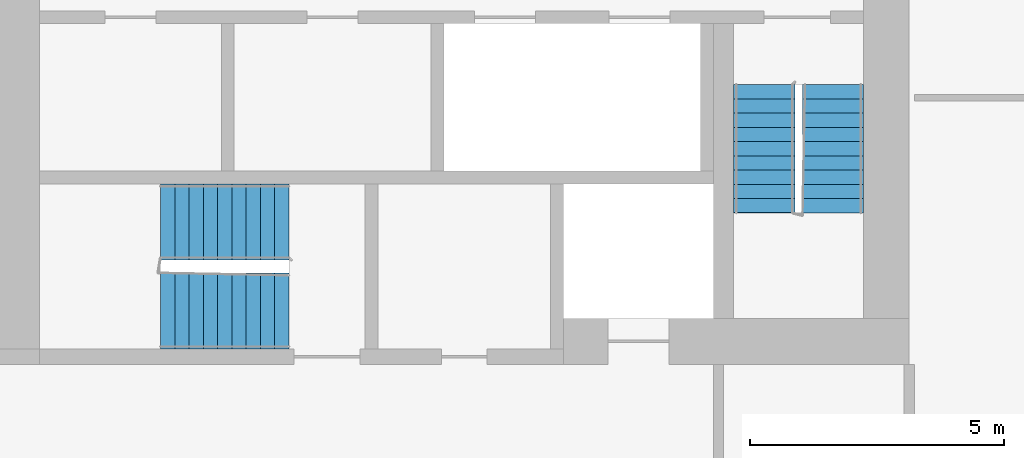
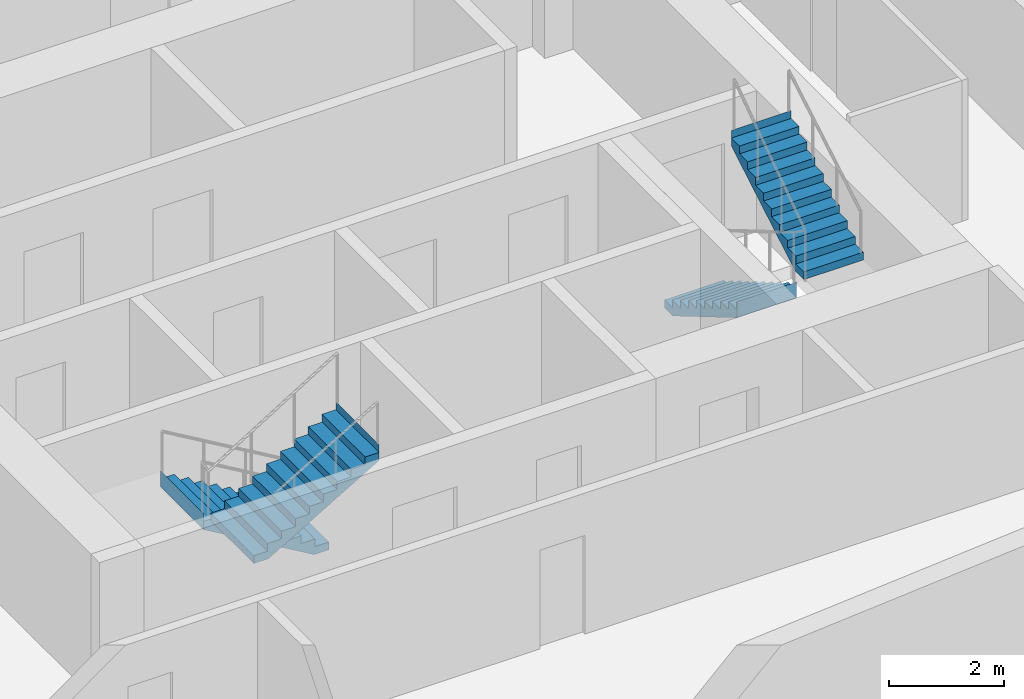
# One storey, part 9 of 12: 4 stair flights, 2 elements without a shape of their own.
"""IFC4 building model written with IfcOpenShell, lengths in metres."""

from ifc_helpers import new_model, si_unit, direction, frame, origin, place, context, subcontext, project, spatial, faceted_brep, material, type_object, element, aggregate, save


model = new_model("IFC4")

# Units and contexts
model_context = context("Model", 3, precision=1e-05, world=origin(), true_north=direction((0.0, 1.0)))
body_context = subcontext(model_context, "Body", "Model", "MODEL_VIEW")
ifc_project = project(units=[si_unit("LENGTHUNIT", "METRE"), si_unit("AREAUNIT", "SQUARE_METRE"), si_unit("VOLUMEUNIT", "CUBIC_METRE"), si_unit("PLANEANGLEUNIT", "RADIAN"), si_unit("MASSUNIT", "GRAM", prefix="KILO")], contexts=[model_context])

# Site, building, storey
site_placement = place(None, origin())
site = spatial("IfcSite", under=ifc_project, at=site_placement, CompositionType="ELEMENT")
building_placement = place(site_placement, origin())
building = spatial("IfcBuilding", under=site, at=building_placement, Name="Kajstack Hotel Tower", CompositionType="ELEMENT")
storey_placement = place(building_placement, frame((0.0, 0.0, 203.199951171875)))
storey = spatial("IfcBuildingStorey", under=building, at=storey_placement, Name="L49", CompositionType="ELEMENT", Elevation=203.199951171875)

# Stair, stair flights
ifc_material = material(Name="Concrete C40/50", Category="concrete")
stair_type_1 = type_object("IfcStairType", Name="Exit stair 1200", PredefinedType="HALF_TURN_STAIR", material=ifc_material)
stair_1_placement = place(storey_placement, origin())
stair_1 = element("IfcStair", 1, at=stair_1_placement, inside=storey, type_object=stair_type_1, Name="L49 stair W2", PredefinedType="HALF_TURN_STAIR")
stair_flight_type_1 = type_object("IfcStairFlightType", Name="Exit stair flight 1200", PredefinedType="STRAIGHT", material=ifc_material)
stair_flight_1_placement = place(storey_placement, frame((-16.35009765625, -10.0, 0.0), z_axis=(0.0, 0.0, 1.0), x_axis=(0.0, -1.0, 0.0)))
stair_flight_1 = element("IfcStairFlight", 2, at=stair_flight_1_placement, type_object=stair_flight_type_1, Name="W2 flight 1", NumberOfRisers=10, NumberOfTreads=9, PredefinedType="STRAIGHT", RiserHeight=0.165, TreadLength=0.28, context=body_context, shape_type="Brep", body=[
    faceted_brep([(0.295654296875, -0.60009765625, 0.0), (2.5205078125, -0.60009765625, 1.31103515625), (2.5205078125, -0.60009765625, 1.64990234375), (2.52001953125, -0.60009765625, 1.64990234375), (2.52001953125, -0.60009765625, 1.485107421875), (2.239990234375, -0.60009765625, 1.485107421875), (2.239990234375, -0.60009765625, 1.320068359375), (1.9599609375, -0.60009765625, 1.320068359375), (1.9599609375, -0.60009765625, 1.155029296875), (1.679931640625, -0.60009765625, 1.155029296875), (1.679931640625, -0.60009765625, 0.989990234375), (1.39990234375, -0.60009765625, 0.989990234375), (1.39990234375, -0.60009765625, 0.824951171875), (1.1201171875, -0.60009765625, 0.824951171875), (1.1201171875, -0.60009765625, 0.659912109375), (0.840087890625, -0.60009765625, 0.659912109375), (0.840087890625, -0.60009765625, 0.4951171875), (0.56005859375, -0.60009765625, 0.4951171875), (0.56005859375, -0.60009765625, 0.330078125), (0.280029296875, -0.60009765625, 0.330078125), (0.280029296875, -0.60009765625, 0.1650390625), (-0.00048828125, -0.60009765625, 0.1650390625), (-0.00048828125, -0.60009765625, 0.0), (-0.00048828125, 0.60009765625, 0.0), (-0.00048828125, 0.60009765625, 0.1650390625), (0.280029296875, 0.60009765625, 0.1650390625), (0.280029296875, 0.60009765625, 0.330078125), (0.56005859375, 0.60009765625, 0.330078125), (0.56005859375, 0.60009765625, 0.4951171875), (0.840087890625, 0.60009765625, 0.4951171875), (0.840087890625, 0.60009765625, 0.659912109375), (1.1201171875, 0.60009765625, 0.659912109375), (1.1201171875, 0.60009765625, 0.824951171875), (1.39990234375, 0.60009765625, 0.824951171875), (1.39990234375, 0.60009765625, 0.989990234375), (1.679931640625, 0.60009765625, 0.989990234375), (1.679931640625, 0.60009765625, 1.155029296875), (1.9599609375, 0.60009765625, 1.155029296875), (1.9599609375, 0.60009765625, 1.320068359375), (2.239990234375, 0.60009765625, 1.320068359375), (2.239990234375, 0.60009765625, 1.485107421875), (2.52001953125, 0.60009765625, 1.485107421875), (2.52001953125, 0.60009765625, 1.64990234375), (2.5205078125, 0.60009765625, 1.64990234375), (2.5205078125, 0.60009765625, 1.31103515625), (0.295654296875, 0.60009765625, 0.0), (-0.00048828125, -0.300048828125, 0.1650390625), (-0.00048828125, 0.0, 0.1650390625), (-0.00048828125, 0.300048828125, 0.1650390625), (-0.00048828125, 0.300048828125, 0.0), (-0.00048828125, 0.0, 0.0), (-0.00048828125, -0.300048828125, 0.0), (0.280029296875, -0.300048828125, 0.1650390625), (0.280029296875, 0.0, 0.1650390625), (0.280029296875, 0.300048828125, 0.1650390625), (0.280029296875, -0.300048828125, 0.330078125), (0.280029296875, 0.0, 0.330078125), (0.280029296875, 0.300048828125, 0.330078125), (0.56005859375, -0.300048828125, 0.330078125), (0.56005859375, 0.0, 0.330078125), (0.56005859375, 0.300048828125, 0.330078125), (0.56005859375, -0.300048828125, 0.4951171875), (0.56005859375, 0.0, 0.4951171875), (0.56005859375, 0.300048828125, 0.4951171875), (0.840087890625, -0.300048828125, 0.4951171875), (0.840087890625, 0.0, 0.4951171875), (0.840087890625, 0.300048828125, 0.4951171875), (0.840087890625, -0.300048828125, 0.659912109375), (0.840087890625, 0.0, 0.659912109375), (0.840087890625, 0.300048828125, 0.659912109375), (1.1201171875, -0.300048828125, 0.659912109375), (1.1201171875, 0.0, 0.659912109375), (1.1201171875, 0.300048828125, 0.659912109375), (1.1201171875, -0.300048828125, 0.824951171875), (1.1201171875, 0.0, 0.824951171875), (1.1201171875, 0.300048828125, 0.824951171875), (1.39990234375, -0.300048828125, 0.824951171875), (1.39990234375, 0.0, 0.824951171875), (1.39990234375, 0.300048828125, 0.824951171875), (1.39990234375, -0.300048828125, 0.989990234375), (1.39990234375, 0.0, 0.989990234375), (1.39990234375, 0.300048828125, 0.989990234375), (1.679931640625, -0.300048828125, 0.989990234375), (1.679931640625, 0.0, 0.989990234375), (1.679931640625, 0.300048828125, 0.989990234375), (1.679931640625, -0.300048828125, 1.155029296875), (1.679931640625, 0.0, 1.155029296875), (1.679931640625, 0.300048828125, 1.155029296875), (1.9599609375, -0.300048828125, 1.155029296875), (1.9599609375, 0.0, 1.155029296875), (1.9599609375, 0.300048828125, 1.155029296875), (1.9599609375, -0.300048828125, 1.320068359375), (1.9599609375, 0.0, 1.320068359375), (1.9599609375, 0.300048828125, 1.320068359375), (2.239990234375, -0.300048828125, 1.320068359375), (2.239990234375, 0.0, 1.320068359375), (2.239990234375, 0.300048828125, 1.320068359375), (2.239990234375, -0.300048828125, 1.485107421875), (2.239990234375, 0.0, 1.485107421875), (2.239990234375, 0.300048828125, 1.485107421875), (2.52001953125, -0.300048828125, 1.485107421875), (2.52001953125, 0.0, 1.485107421875), (2.52001953125, 0.300048828125, 1.485107421875), (2.52001953125, -0.300048828125, 1.64990234375), (2.52001953125, 0.0, 1.64990234375), (2.52001953125, 0.300048828125, 1.64990234375), (2.5205078125, -0.300048828125, 1.64990234375), (2.5205078125, 0.0, 1.64990234375), (2.5205078125, 0.300048828125, 1.64990234375), (2.5205078125, -0.300048828125, 1.31103515625), (2.5205078125, 0.0, 1.31103515625), (2.5205078125, 0.300048828125, 1.31103515625), (0.295654296875, -0.300048828125, 0.0), (0.295654296875, 0.0, 0.0), (0.295654296875, 0.300048828125, 0.0)], [[[0, 1, 2, 3, 4, 5, 6, 7, 8, 9, 10, 11, 12, 13, 14, 15, 16, 17, 18, 19, 20, 21, 22]], [[23, 24, 25, 26, 27, 28, 29, 30, 31, 32, 33, 34, 35, 36, 37, 38, 39, 40, 41, 42, 43, 44, 45]], [[21, 46, 47, 48, 24, 23, 49, 50, 51, 22]], [[20, 52, 53, 54, 25, 24, 48, 47, 46, 21]], [[19, 55, 56, 57, 26, 25, 54, 53, 52, 20]], [[18, 58, 59, 60, 27, 26, 57, 56, 55, 19]], [[17, 61, 62, 63, 28, 27, 60, 59, 58, 18]], [[16, 64, 65, 66, 29, 28, 63, 62, 61, 17]], [[15, 67, 68, 69, 30, 29, 66, 65, 64, 16]], [[14, 70, 71, 72, 31, 30, 69, 68, 67, 15]], [[13, 73, 74, 75, 32, 31, 72, 71, 70, 14]], [[12, 76, 77, 78, 33, 32, 75, 74, 73, 13]], [[11, 79, 80, 81, 34, 33, 78, 77, 76, 12]], [[10, 82, 83, 84, 35, 34, 81, 80, 79, 11]], [[9, 85, 86, 87, 36, 35, 84, 83, 82, 10]], [[8, 88, 89, 90, 37, 36, 87, 86, 85, 9]], [[7, 91, 92, 93, 38, 37, 90, 89, 88, 8]], [[6, 94, 95, 96, 39, 38, 93, 92, 91, 7]], [[5, 97, 98, 99, 40, 39, 96, 95, 94, 6]], [[4, 100, 101, 102, 41, 40, 99, 98, 97, 5]], [[3, 103, 104, 105, 42, 41, 102, 101, 100, 4]], [[2, 106, 107, 108, 43, 42, 105, 104, 103, 3]], [[1, 109, 110, 111, 44, 43, 108, 107, 106, 2]], [[0, 112, 113, 114, 45, 44, 111, 110, 109, 1]], [[22, 51, 50, 49, 23, 45, 114, 113, 112, 0]]]),
])
stair_flight_2_placement = place(storey_placement, frame((-15.0, -12.52001953125, 1.650146484375), z_axis=(0.0, 0.0, 1.0), x_axis=(0.0, 1.0, 0.0)))
stair_flight_2 = element("IfcStairFlight", 3, at=stair_flight_2_placement, type_object=stair_flight_type_1, Name="W2 flight 2", NumberOfRisers=10, NumberOfTreads=9, PredefinedType="STRAIGHT", RiserHeight=0.165, TreadLength=0.28, context=body_context, shape_type="Brep", body=[
    faceted_brep([(0.295654296875, -0.60009765625, 0.0), (2.5205078125, -0.60009765625, 1.31103515625), (2.5205078125, -0.60009765625, 1.64990234375), (2.52001953125, -0.60009765625, 1.64990234375), (2.52001953125, -0.60009765625, 1.485107421875), (2.239990234375, -0.60009765625, 1.485107421875), (2.239990234375, -0.60009765625, 1.320068359375), (1.9599609375, -0.60009765625, 1.320068359375), (1.9599609375, -0.60009765625, 1.155029296875), (1.679931640625, -0.60009765625, 1.155029296875), (1.679931640625, -0.60009765625, 0.989990234375), (1.39990234375, -0.60009765625, 0.989990234375), (1.39990234375, -0.60009765625, 0.824951171875), (1.1201171875, -0.60009765625, 0.824951171875), (1.1201171875, -0.60009765625, 0.659912109375), (0.840087890625, -0.60009765625, 0.659912109375), (0.840087890625, -0.60009765625, 0.4951171875), (0.56005859375, -0.60009765625, 0.4951171875), (0.56005859375, -0.60009765625, 0.330078125), (0.280029296875, -0.60009765625, 0.330078125), (0.280029296875, -0.60009765625, 0.1650390625), (-0.00048828125, -0.60009765625, 0.1650390625), (-0.00048828125, -0.60009765625, 0.0), (-0.00048828125, 0.60009765625, 0.0), (-0.00048828125, 0.60009765625, 0.1650390625), (0.280029296875, 0.60009765625, 0.1650390625), (0.280029296875, 0.60009765625, 0.330078125), (0.56005859375, 0.60009765625, 0.330078125), (0.56005859375, 0.60009765625, 0.4951171875), (0.840087890625, 0.60009765625, 0.4951171875), (0.840087890625, 0.60009765625, 0.659912109375), (1.1201171875, 0.60009765625, 0.659912109375), (1.1201171875, 0.60009765625, 0.824951171875), (1.39990234375, 0.60009765625, 0.824951171875), (1.39990234375, 0.60009765625, 0.989990234375), (1.679931640625, 0.60009765625, 0.989990234375), (1.679931640625, 0.60009765625, 1.155029296875), (1.9599609375, 0.60009765625, 1.155029296875), (1.9599609375, 0.60009765625, 1.320068359375), (2.239990234375, 0.60009765625, 1.320068359375), (2.239990234375, 0.60009765625, 1.485107421875), (2.52001953125, 0.60009765625, 1.485107421875), (2.52001953125, 0.60009765625, 1.64990234375), (2.5205078125, 0.60009765625, 1.64990234375), (2.5205078125, 0.60009765625, 1.31103515625), (0.295654296875, 0.60009765625, 0.0), (-0.00048828125, -0.300048828125, 0.1650390625), (-0.00048828125, 0.0, 0.1650390625), (-0.00048828125, 0.300048828125, 0.1650390625), (-0.00048828125, 0.300048828125, 0.0), (-0.00048828125, 0.0, 0.0), (-0.00048828125, -0.300048828125, 0.0), (0.280029296875, -0.300048828125, 0.1650390625), (0.280029296875, 0.0, 0.1650390625), (0.280029296875, 0.300048828125, 0.1650390625), (0.280029296875, -0.300048828125, 0.330078125), (0.280029296875, 0.0, 0.330078125), (0.280029296875, 0.300048828125, 0.330078125), (0.56005859375, -0.300048828125, 0.330078125), (0.56005859375, 0.0, 0.330078125), (0.56005859375, 0.300048828125, 0.330078125), (0.56005859375, -0.300048828125, 0.4951171875), (0.56005859375, 0.0, 0.4951171875), (0.56005859375, 0.300048828125, 0.4951171875), (0.840087890625, -0.300048828125, 0.4951171875), (0.840087890625, 0.0, 0.4951171875), (0.840087890625, 0.300048828125, 0.4951171875), (0.840087890625, -0.300048828125, 0.659912109375), (0.840087890625, 0.0, 0.659912109375), (0.840087890625, 0.300048828125, 0.659912109375), (1.1201171875, -0.300048828125, 0.659912109375), (1.1201171875, 0.0, 0.659912109375), (1.1201171875, 0.300048828125, 0.659912109375), (1.1201171875, -0.300048828125, 0.824951171875), (1.1201171875, 0.0, 0.824951171875), (1.1201171875, 0.300048828125, 0.824951171875), (1.39990234375, -0.300048828125, 0.824951171875), (1.39990234375, 0.0, 0.824951171875), (1.39990234375, 0.300048828125, 0.824951171875), (1.39990234375, -0.300048828125, 0.989990234375), (1.39990234375, 0.0, 0.989990234375), (1.39990234375, 0.300048828125, 0.989990234375), (1.679931640625, -0.300048828125, 0.989990234375), (1.679931640625, 0.0, 0.989990234375), (1.679931640625, 0.300048828125, 0.989990234375), (1.679931640625, -0.300048828125, 1.155029296875), (1.679931640625, 0.0, 1.155029296875), (1.679931640625, 0.300048828125, 1.155029296875), (1.9599609375, -0.300048828125, 1.155029296875), (1.9599609375, 0.0, 1.155029296875), (1.9599609375, 0.300048828125, 1.155029296875), (1.9599609375, -0.300048828125, 1.320068359375), (1.9599609375, 0.0, 1.320068359375), (1.9599609375, 0.300048828125, 1.320068359375), (2.239990234375, -0.300048828125, 1.320068359375), (2.239990234375, 0.0, 1.320068359375), (2.239990234375, 0.300048828125, 1.320068359375), (2.239990234375, -0.300048828125, 1.485107421875), (2.239990234375, 0.0, 1.485107421875), (2.239990234375, 0.300048828125, 1.485107421875), (2.52001953125, -0.300048828125, 1.485107421875), (2.52001953125, 0.0, 1.485107421875), (2.52001953125, 0.300048828125, 1.485107421875), (2.52001953125, -0.300048828125, 1.64990234375), (2.52001953125, 0.0, 1.64990234375), (2.52001953125, 0.300048828125, 1.64990234375), (2.5205078125, -0.300048828125, 1.64990234375), (2.5205078125, 0.0, 1.64990234375), (2.5205078125, 0.300048828125, 1.64990234375), (2.5205078125, -0.300048828125, 1.31103515625), (2.5205078125, 0.0, 1.31103515625), (2.5205078125, 0.300048828125, 1.31103515625), (0.295654296875, -0.300048828125, 0.0), (0.295654296875, 0.0, 0.0), (0.295654296875, 0.300048828125, 0.0)], [[[0, 1, 2, 3, 4, 5, 6, 7, 8, 9, 10, 11, 12, 13, 14, 15, 16, 17, 18, 19, 20, 21, 22]], [[23, 24, 25, 26, 27, 28, 29, 30, 31, 32, 33, 34, 35, 36, 37, 38, 39, 40, 41, 42, 43, 44, 45]], [[21, 46, 47, 48, 24, 23, 49, 50, 51, 22]], [[20, 52, 53, 54, 25, 24, 48, 47, 46, 21]], [[19, 55, 56, 57, 26, 25, 54, 53, 52, 20]], [[18, 58, 59, 60, 27, 26, 57, 56, 55, 19]], [[17, 61, 62, 63, 28, 27, 60, 59, 58, 18]], [[16, 64, 65, 66, 29, 28, 63, 62, 61, 17]], [[15, 67, 68, 69, 30, 29, 66, 65, 64, 16]], [[14, 70, 71, 72, 31, 30, 69, 68, 67, 15]], [[13, 73, 74, 75, 32, 31, 72, 71, 70, 14]], [[12, 76, 77, 78, 33, 32, 75, 74, 73, 13]], [[11, 79, 80, 81, 34, 33, 78, 77, 76, 12]], [[10, 82, 83, 84, 35, 34, 81, 80, 79, 11]], [[9, 85, 86, 87, 36, 35, 84, 83, 82, 10]], [[8, 88, 89, 90, 37, 36, 87, 86, 85, 9]], [[7, 91, 92, 93, 38, 37, 90, 89, 88, 8]], [[6, 94, 95, 96, 39, 38, 93, 92, 91, 7]], [[5, 97, 98, 99, 40, 39, 96, 95, 94, 6]], [[4, 100, 101, 102, 41, 40, 99, 98, 97, 5]], [[3, 103, 104, 105, 42, 41, 102, 101, 100, 4]], [[2, 106, 107, 108, 43, 42, 105, 104, 103, 3]], [[1, 109, 110, 111, 44, 43, 108, 107, 106, 2]], [[0, 112, 113, 114, 45, 44, 111, 110, 109, 1]], [[22, 51, 50, 49, 23, 45, 114, 113, 112, 0]]]),
])
aggregate(stair_1, [stair_flight_1, stair_flight_2])

stair_type_2 = type_object("IfcStairType", Name="Exit stair 1500", PredefinedType="HALF_TURN_STAIR", material=ifc_material)
stair_2_placement = place(storey_placement, origin())
stair_2 = element("IfcStair", 4, at=stair_2_placement, inside=storey, type_object=stair_type_2, Name="L49 stair W3", PredefinedType="HALF_TURN_STAIR")
stair_flight_type_2 = type_object("IfcStairFlightType", Name="Exit stair flight 1500", PredefinedType="STRAIGHT", material=ifc_material)
stair_flight_3_placement = place(storey_placement, frame((-25.699951171875, -12.699951171875, 0.0), z_axis=(0.0, 0.0, 1.0), x_axis=(-1.0, 0.0, 0.0)))
stair_flight_3 = element("IfcStairFlight", 5, at=stair_flight_3_placement, type_object=stair_flight_type_2, Name="W3 flight 1", NumberOfRisers=10, NumberOfTreads=9, PredefinedType="STRAIGHT", RiserHeight=0.165, TreadLength=0.28, context=body_context, shape_type="Brep", body=[
    faceted_brep([(0.295654296875, -0.75, 0.0), (2.5205078125, -0.75, 1.31103515625), (2.5205078125, -0.75, 1.64990234375), (2.52001953125, -0.75, 1.64990234375), (2.52001953125, -0.75, 1.485107421875), (2.239990234375, -0.75, 1.485107421875), (2.239990234375, -0.75, 1.320068359375), (1.9599609375, -0.75, 1.320068359375), (1.9599609375, -0.75, 1.155029296875), (1.679931640625, -0.75, 1.155029296875), (1.679931640625, -0.75, 0.989990234375), (1.39990234375, -0.75, 0.989990234375), (1.39990234375, -0.75, 0.824951171875), (1.1201171875, -0.75, 0.824951171875), (1.1201171875, -0.75, 0.659912109375), (0.840087890625, -0.75, 0.659912109375), (0.840087890625, -0.75, 0.4951171875), (0.56005859375, -0.75, 0.4951171875), (0.56005859375, -0.75, 0.330078125), (0.280029296875, -0.75, 0.330078125), (0.280029296875, -0.75, 0.1650390625), (-0.00048828125, -0.75, 0.1650390625), (-0.00048828125, -0.75, 0.0), (-0.00048828125, 0.75, 0.0), (-0.00048828125, 0.75, 0.1650390625), (0.280029296875, 0.75, 0.1650390625), (0.280029296875, 0.75, 0.330078125), (0.56005859375, 0.75, 0.330078125), (0.56005859375, 0.75, 0.4951171875), (0.840087890625, 0.75, 0.4951171875), (0.840087890625, 0.75, 0.659912109375), (1.1201171875, 0.75, 0.659912109375), (1.1201171875, 0.75, 0.824951171875), (1.39990234375, 0.75, 0.824951171875), (1.39990234375, 0.75, 0.989990234375), (1.679931640625, 0.75, 0.989990234375), (1.679931640625, 0.75, 1.155029296875), (1.9599609375, 0.75, 1.155029296875), (1.9599609375, 0.75, 1.320068359375), (2.239990234375, 0.75, 1.320068359375), (2.239990234375, 0.75, 1.485107421875), (2.52001953125, 0.75, 1.485107421875), (2.52001953125, 0.75, 1.64990234375), (2.5205078125, 0.75, 1.64990234375), (2.5205078125, 0.75, 1.31103515625), (0.295654296875, 0.75, 0.0), (-0.00048828125, -0.375, 0.1650390625), (-0.00048828125, 0.0, 0.1650390625), (-0.00048828125, 0.375, 0.1650390625), (-0.00048828125, 0.375, 0.0), (-0.00048828125, 0.0, 0.0), (-0.00048828125, -0.375, 0.0), (0.280029296875, -0.375, 0.1650390625), (0.280029296875, 0.0, 0.1650390625), (0.280029296875, 0.375, 0.1650390625), (0.280029296875, -0.375, 0.330078125), (0.280029296875, 0.0, 0.330078125), (0.280029296875, 0.375, 0.330078125), (0.56005859375, -0.375, 0.330078125), (0.56005859375, 0.0, 0.330078125), (0.56005859375, 0.375, 0.330078125), (0.56005859375, -0.375, 0.4951171875), (0.56005859375, 0.0, 0.4951171875), (0.56005859375, 0.375, 0.4951171875), (0.840087890625, -0.375, 0.4951171875), (0.840087890625, 0.0, 0.4951171875), (0.840087890625, 0.375, 0.4951171875), (0.840087890625, -0.375, 0.659912109375), (0.840087890625, 0.0, 0.659912109375), (0.840087890625, 0.375, 0.659912109375), (1.1201171875, -0.375, 0.659912109375), (1.1201171875, 0.0, 0.659912109375), (1.1201171875, 0.375, 0.659912109375), (1.1201171875, -0.375, 0.824951171875), (1.1201171875, 0.0, 0.824951171875), (1.1201171875, 0.375, 0.824951171875), (1.39990234375, -0.375, 0.824951171875), (1.39990234375, 0.0, 0.824951171875), (1.39990234375, 0.375, 0.824951171875), (1.39990234375, -0.375, 0.989990234375), (1.39990234375, 0.0, 0.989990234375), (1.39990234375, 0.375, 0.989990234375), (1.679931640625, -0.375, 0.989990234375), (1.679931640625, 0.0, 0.989990234375), (1.679931640625, 0.375, 0.989990234375), (1.679931640625, -0.375, 1.155029296875), (1.679931640625, 0.0, 1.155029296875), (1.679931640625, 0.375, 1.155029296875), (1.9599609375, -0.375, 1.155029296875), (1.9599609375, 0.0, 1.155029296875), (1.9599609375, 0.375, 1.155029296875), (1.9599609375, -0.375, 1.320068359375), (1.9599609375, 0.0, 1.320068359375), (1.9599609375, 0.375, 1.320068359375), (2.239990234375, -0.375, 1.320068359375), (2.239990234375, 0.0, 1.320068359375), (2.239990234375, 0.375, 1.320068359375), (2.239990234375, -0.375, 1.485107421875), (2.239990234375, 0.0, 1.485107421875), (2.239990234375, 0.375, 1.485107421875), (2.52001953125, -0.375, 1.485107421875), (2.52001953125, 0.0, 1.485107421875), (2.52001953125, 0.375, 1.485107421875), (2.52001953125, -0.375, 1.64990234375), (2.52001953125, 0.0, 1.64990234375), (2.52001953125, 0.375, 1.64990234375), (2.5205078125, -0.375, 1.64990234375), (2.5205078125, 0.0, 1.64990234375), (2.5205078125, 0.375, 1.64990234375), (2.5205078125, -0.375, 1.31103515625), (2.5205078125, 0.0, 1.31103515625), (2.5205078125, 0.375, 1.31103515625), (0.295654296875, -0.375, 0.0), (0.295654296875, 0.0, 0.0), (0.295654296875, 0.375, 0.0)], [[[0, 1, 2, 3, 4, 5, 6, 7, 8, 9, 10, 11, 12, 13, 14, 15, 16, 17, 18, 19, 20, 21, 22]], [[23, 24, 25, 26, 27, 28, 29, 30, 31, 32, 33, 34, 35, 36, 37, 38, 39, 40, 41, 42, 43, 44, 45]], [[21, 46, 47, 48, 24, 23, 49, 50, 51, 22]], [[20, 52, 53, 54, 25, 24, 48, 47, 46, 21]], [[19, 55, 56, 57, 26, 25, 54, 53, 52, 20]], [[18, 58, 59, 60, 27, 26, 57, 56, 55, 19]], [[17, 61, 62, 63, 28, 27, 60, 59, 58, 18]], [[16, 64, 65, 66, 29, 28, 63, 62, 61, 17]], [[15, 67, 68, 69, 30, 29, 66, 65, 64, 16]], [[14, 70, 71, 72, 31, 30, 69, 68, 67, 15]], [[13, 73, 74, 75, 32, 31, 72, 71, 70, 14]], [[12, 76, 77, 78, 33, 32, 75, 74, 73, 13]], [[11, 79, 80, 81, 34, 33, 78, 77, 76, 12]], [[10, 82, 83, 84, 35, 34, 81, 80, 79, 11]], [[9, 85, 86, 87, 36, 35, 84, 83, 82, 10]], [[8, 88, 89, 90, 37, 36, 87, 86, 85, 9]], [[7, 91, 92, 93, 38, 37, 90, 89, 88, 8]], [[6, 94, 95, 96, 39, 38, 93, 92, 91, 7]], [[5, 97, 98, 99, 40, 39, 96, 95, 94, 6]], [[4, 100, 101, 102, 41, 40, 99, 98, 97, 5]], [[3, 103, 104, 105, 42, 41, 102, 101, 100, 4]], [[2, 106, 107, 108, 43, 42, 105, 104, 103, 3]], [[1, 109, 110, 111, 44, 43, 108, 107, 106, 2]], [[0, 112, 113, 114, 45, 44, 111, 110, 109, 1]], [[22, 51, 50, 49, 23, 45, 114, 113, 112, 0]]]),
])
stair_flight_4_placement = place(storey_placement, frame((-28.219970703125, -14.449951171875, 1.650146484375), z_axis=(0.0, 0.0, 1.0), x_axis=(1.0, 0.0, 0.0)))
stair_flight_4 = element("IfcStairFlight", 6, at=stair_flight_4_placement, type_object=stair_flight_type_2, Name="W3 flight 2", NumberOfRisers=10, NumberOfTreads=9, PredefinedType="STRAIGHT", RiserHeight=0.165, TreadLength=0.28, context=body_context, shape_type="Brep", body=[
    faceted_brep([(0.295654296875, -0.75, 0.0), (2.5205078125, -0.75, 1.31103515625), (2.5205078125, -0.75, 1.64990234375), (2.52001953125, -0.75, 1.64990234375), (2.52001953125, -0.75, 1.485107421875), (2.239990234375, -0.75, 1.485107421875), (2.239990234375, -0.75, 1.320068359375), (1.9599609375, -0.75, 1.320068359375), (1.9599609375, -0.75, 1.155029296875), (1.679931640625, -0.75, 1.155029296875), (1.679931640625, -0.75, 0.989990234375), (1.39990234375, -0.75, 0.989990234375), (1.39990234375, -0.75, 0.824951171875), (1.1201171875, -0.75, 0.824951171875), (1.1201171875, -0.75, 0.659912109375), (0.840087890625, -0.75, 0.659912109375), (0.840087890625, -0.75, 0.4951171875), (0.56005859375, -0.75, 0.4951171875), (0.56005859375, -0.75, 0.330078125), (0.280029296875, -0.75, 0.330078125), (0.280029296875, -0.75, 0.1650390625), (-0.00048828125, -0.75, 0.1650390625), (-0.00048828125, -0.75, 0.0), (-0.00048828125, 0.75, 0.0), (-0.00048828125, 0.75, 0.1650390625), (0.280029296875, 0.75, 0.1650390625), (0.280029296875, 0.75, 0.330078125), (0.56005859375, 0.75, 0.330078125), (0.56005859375, 0.75, 0.4951171875), (0.840087890625, 0.75, 0.4951171875), (0.840087890625, 0.75, 0.659912109375), (1.1201171875, 0.75, 0.659912109375), (1.1201171875, 0.75, 0.824951171875), (1.39990234375, 0.75, 0.824951171875), (1.39990234375, 0.75, 0.989990234375), (1.679931640625, 0.75, 0.989990234375), (1.679931640625, 0.75, 1.155029296875), (1.9599609375, 0.75, 1.155029296875), (1.9599609375, 0.75, 1.320068359375), (2.239990234375, 0.75, 1.320068359375), (2.239990234375, 0.75, 1.485107421875), (2.52001953125, 0.75, 1.485107421875), (2.52001953125, 0.75, 1.64990234375), (2.5205078125, 0.75, 1.64990234375), (2.5205078125, 0.75, 1.31103515625), (0.295654296875, 0.75, 0.0), (-0.00048828125, -0.375, 0.1650390625), (-0.00048828125, 0.0, 0.1650390625), (-0.00048828125, 0.375, 0.1650390625), (-0.00048828125, 0.375, 0.0), (-0.00048828125, 0.0, 0.0), (-0.00048828125, -0.375, 0.0), (0.280029296875, -0.375, 0.1650390625), (0.280029296875, 0.0, 0.1650390625), (0.280029296875, 0.375, 0.1650390625), (0.280029296875, -0.375, 0.330078125), (0.280029296875, 0.0, 0.330078125), (0.280029296875, 0.375, 0.330078125), (0.56005859375, -0.375, 0.330078125), (0.56005859375, 0.0, 0.330078125), (0.56005859375, 0.375, 0.330078125), (0.56005859375, -0.375, 0.4951171875), (0.56005859375, 0.0, 0.4951171875), (0.56005859375, 0.375, 0.4951171875), (0.840087890625, -0.375, 0.4951171875), (0.840087890625, 0.0, 0.4951171875), (0.840087890625, 0.375, 0.4951171875), (0.840087890625, -0.375, 0.659912109375), (0.840087890625, 0.0, 0.659912109375), (0.840087890625, 0.375, 0.659912109375), (1.1201171875, -0.375, 0.659912109375), (1.1201171875, 0.0, 0.659912109375), (1.1201171875, 0.375, 0.659912109375), (1.1201171875, -0.375, 0.824951171875), (1.1201171875, 0.0, 0.824951171875), (1.1201171875, 0.375, 0.824951171875), (1.39990234375, -0.375, 0.824951171875), (1.39990234375, 0.0, 0.824951171875), (1.39990234375, 0.375, 0.824951171875), (1.39990234375, -0.375, 0.989990234375), (1.39990234375, 0.0, 0.989990234375), (1.39990234375, 0.375, 0.989990234375), (1.679931640625, -0.375, 0.989990234375), (1.679931640625, 0.0, 0.989990234375), (1.679931640625, 0.375, 0.989990234375), (1.679931640625, -0.375, 1.155029296875), (1.679931640625, 0.0, 1.155029296875), (1.679931640625, 0.375, 1.155029296875), (1.9599609375, -0.375, 1.155029296875), (1.9599609375, 0.0, 1.155029296875), (1.9599609375, 0.375, 1.155029296875), (1.9599609375, -0.375, 1.320068359375), (1.9599609375, 0.0, 1.320068359375), (1.9599609375, 0.375, 1.320068359375), (2.239990234375, -0.375, 1.320068359375), (2.239990234375, 0.0, 1.320068359375), (2.239990234375, 0.375, 1.320068359375), (2.239990234375, -0.375, 1.485107421875), (2.239990234375, 0.0, 1.485107421875), (2.239990234375, 0.375, 1.485107421875), (2.52001953125, -0.375, 1.485107421875), (2.52001953125, 0.0, 1.485107421875), (2.52001953125, 0.375, 1.485107421875), (2.52001953125, -0.375, 1.64990234375), (2.52001953125, 0.0, 1.64990234375), (2.52001953125, 0.375, 1.64990234375), (2.5205078125, -0.375, 1.64990234375), (2.5205078125, 0.0, 1.64990234375), (2.5205078125, 0.375, 1.64990234375), (2.5205078125, -0.375, 1.31103515625), (2.5205078125, 0.0, 1.31103515625), (2.5205078125, 0.375, 1.31103515625), (0.295654296875, -0.375, 0.0), (0.295654296875, 0.0, 0.0), (0.295654296875, 0.375, 0.0)], [[[0, 1, 2, 3, 4, 5, 6, 7, 8, 9, 10, 11, 12, 13, 14, 15, 16, 17, 18, 19, 20, 21, 22]], [[23, 24, 25, 26, 27, 28, 29, 30, 31, 32, 33, 34, 35, 36, 37, 38, 39, 40, 41, 42, 43, 44, 45]], [[21, 46, 47, 48, 24, 23, 49, 50, 51, 22]], [[20, 52, 53, 54, 25, 24, 48, 47, 46, 21]], [[19, 55, 56, 57, 26, 25, 54, 53, 52, 20]], [[18, 58, 59, 60, 27, 26, 57, 56, 55, 19]], [[17, 61, 62, 63, 28, 27, 60, 59, 58, 18]], [[16, 64, 65, 66, 29, 28, 63, 62, 61, 17]], [[15, 67, 68, 69, 30, 29, 66, 65, 64, 16]], [[14, 70, 71, 72, 31, 30, 69, 68, 67, 15]], [[13, 73, 74, 75, 32, 31, 72, 71, 70, 14]], [[12, 76, 77, 78, 33, 32, 75, 74, 73, 13]], [[11, 79, 80, 81, 34, 33, 78, 77, 76, 12]], [[10, 82, 83, 84, 35, 34, 81, 80, 79, 11]], [[9, 85, 86, 87, 36, 35, 84, 83, 82, 10]], [[8, 88, 89, 90, 37, 36, 87, 86, 85, 9]], [[7, 91, 92, 93, 38, 37, 90, 89, 88, 8]], [[6, 94, 95, 96, 39, 38, 93, 92, 91, 7]], [[5, 97, 98, 99, 40, 39, 96, 95, 94, 6]], [[4, 100, 101, 102, 41, 40, 99, 98, 97, 5]], [[3, 103, 104, 105, 42, 41, 102, 101, 100, 4]], [[2, 106, 107, 108, 43, 42, 105, 104, 103, 3]], [[1, 109, 110, 111, 44, 43, 108, 107, 106, 2]], [[0, 112, 113, 114, 45, 44, 111, 110, 109, 1]], [[22, 51, 50, 49, 23, 45, 114, 113, 112, 0]]]),
])
aggregate(stair_2, [stair_flight_3, stair_flight_4])

save(model, "model.ifc")
